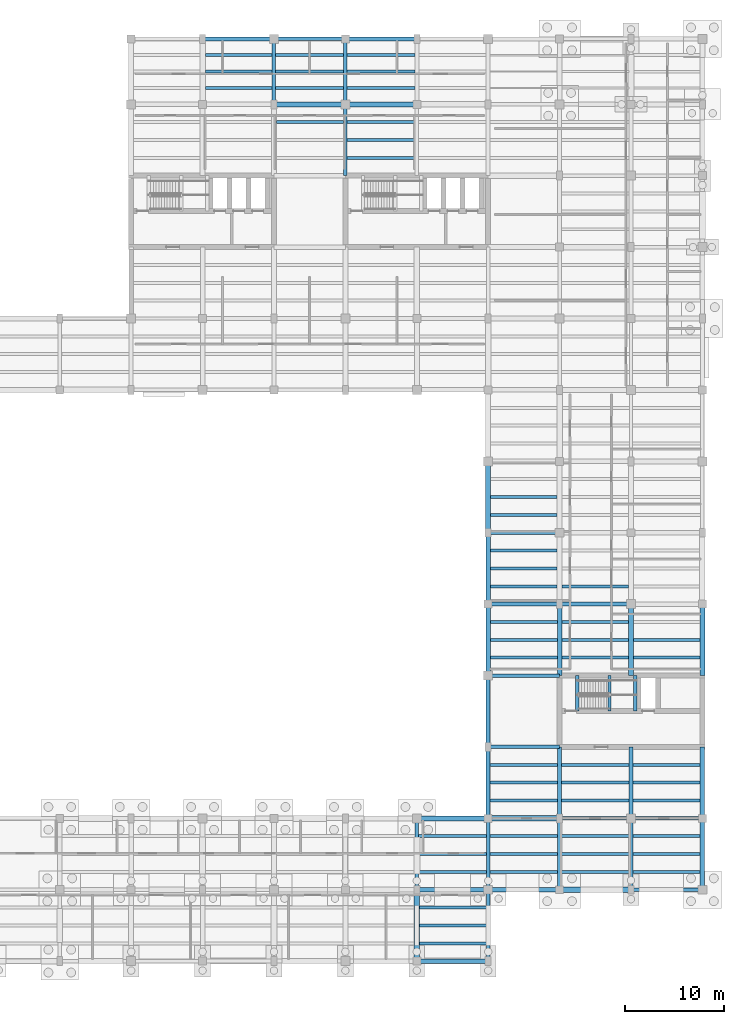
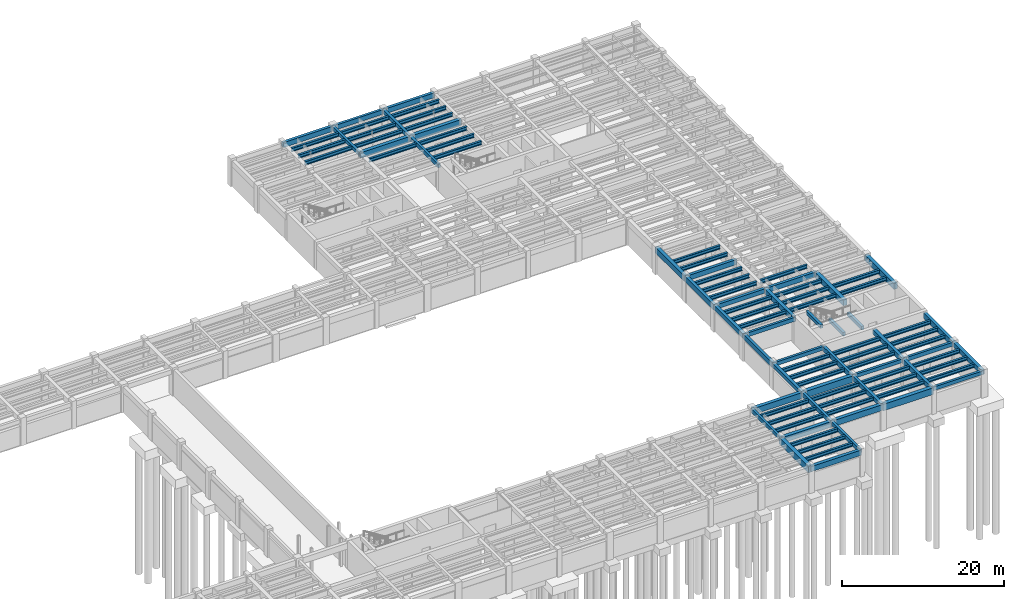
# One storey, part 12 of 33: 94 beams.
"""IFC4 building model written with IfcOpenShell, lengths in metres."""

import ifcopenshell
import ifcopenshell.guid

model = None  # the IFC model being written
_history = None  # IfcOwnerHistory: only IFC2X3 demands one
_inside = {}  # id of a spatial element -> (the spatial element, [elements in it])
_under = {}  # id of a project, library or spatial element -> (it, [spatial elements below it])
_declared = {}  # id of a project -> (the project, [libraries it declares])
_typed = {}  # id of a type object -> (the type object, [elements of that type])
_made_of = {}  # id of a material, layer set ... -> (it, [elements and type objects made of it])


def new_model(schema):
    """Start an empty IFC model of exactly this schema.

    Asked for "IFC4X3", IfcOpenShell would pick the latest addendum, in which some entities
    have other attributes; the version numbers below select the first issue.
    IFC2X3 requires an IfcOwnerHistory on every rooted entity: one is made here for all.
    """
    global model, _history
    if schema == "IFC4X3":
        model = ifcopenshell.file(schema_version=(4, 3, 0, 0))
    else:
        model = ifcopenshell.file(schema=schema)
    _inside.clear()
    _under.clear()
    _declared.clear()
    _typed.clear()
    _made_of.clear()
    _history = None
    if model.schema == "IFC2X3":
        org = make("IfcOrganization", Name="unknown")
        user = make(
            "IfcPersonAndOrganization",
            ThePerson=make("IfcPerson", FamilyName="unknown"),
            TheOrganization=org,
        )
        app = make(
            "IfcApplication",
            ApplicationDeveloper=org,
            Version="unknown",
            ApplicationFullName="unknown",
            ApplicationIdentifier="unknown",
        )
        _history = make(
            "IfcOwnerHistory",
            OwningUser=user,
            OwningApplication=app,
            ChangeAction="ADDED",
            CreationDate=0,
        )
    return model


def make(cls, **values):
    """One entity of the class cls with the attributes given. An attribute that is None is left unset."""
    return model.create_entity(
        cls, **{name: value for name, value in values.items() if value is not None}
    )


def rooted(cls, **values):
    """An entity with a GlobalId (a new one), such as an element, a storey or a relation."""
    return make(cls, GlobalId=ifcopenshell.guid.new(), OwnerHistory=_history, **values)


def si_unit(unit_type, name, prefix=None):
    """IfcSIUnit, for example si_unit("LENGTHUNIT", "METRE", prefix="MILLI")."""
    return make("IfcSIUnit", UnitType=unit_type, Prefix=prefix, Name=name)


def assignment(units):
    """IfcUnitAssignment: the units of a project."""
    return None if units is None else make("IfcUnitAssignment", Units=units)


def point(xyz):
    """IfcCartesianPoint."""
    return None if xyz is None else make("IfcCartesianPoint", Coordinates=xyz)


def direction(xyz):
    """IfcDirection."""
    return None if xyz is None else make("IfcDirection", DirectionRatios=xyz)


def frame(location, z_axis=None, x_axis=None):
    """IfcAxis2Placement3D, a coordinate frame: its origin and axes. An axis left out is left unset."""
    return make(
        "IfcAxis2Placement3D",
        Location=point(location),
        Axis=direction(z_axis),
        RefDirection=direction(x_axis),
    )


def frame_2d(location, x_axis=None):
    """IfcAxis2Placement2D, a coordinate frame in the plane: its origin and x axis."""
    return make(
        "IfcAxis2Placement2D", Location=point(location), RefDirection=direction(x_axis)
    )


def origin():
    """The frame at (0, 0, 0) with its axes left unset."""
    return frame((0.0, 0.0, 0.0))


def origin_2d():
    """The frame at (0, 0) in the plane with its x axis left unset."""
    return frame_2d((0.0, 0.0))


def place(relative_to, where):
    """IfcLocalPlacement: puts the frame where relative to a parent placement (None: the world)."""
    return make(
        "IfcLocalPlacement", PlacementRelTo=relative_to, RelativePlacement=where
    )


def context(
    kind, dimensions, precision=None, world=None, true_north=None, identifier=None
):
    """IfcGeometricRepresentationContext, for example the 3D "Model" context."""
    return make(
        "IfcGeometricRepresentationContext",
        ContextIdentifier=identifier,
        ContextType=kind,
        CoordinateSpaceDimension=dimensions,
        Precision=precision,
        WorldCoordinateSystem=world,
        TrueNorth=true_north,
    )


def subcontext(parent, identifier, kind, view, scale=None):
    """IfcGeometricRepresentationSubContext, for example "Body" below "Model"."""
    return make(
        "IfcGeometricRepresentationSubContext",
        ContextIdentifier=identifier,
        ContextType=kind,
        ParentContext=parent,
        TargetScale=scale,
        TargetView=view,
    )


def project(units=None, contexts=None):
    """IfcProject with its units and contexts."""
    return rooted(
        "IfcProject",
        Name="project",
        RepresentationContexts=contexts,
        UnitsInContext=assignment(units),
    )


def spatial(cls, under=None, at=None, **own):
    """A site, building, storey or space (cls), placed at a placement, below another one or the project."""
    s = rooted(cls, ObjectPlacement=at, **own)
    if under is not None:
        _under.setdefault(under.id(), (under, []))[1].append(s)
    return s


def profile(cls, at=None, kind="AREA", **sizes):
    """A parametric profile (cls). Its sizes go by their IFC names, for example OverallWidth=200.0."""
    return make(cls, ProfileType=kind, Position=at, **sizes)


def rectangle(**sizes):
    """IfcRectangleProfileDef."""
    return profile("IfcRectangleProfileDef", **sizes)


def i_section(**sizes):
    """IfcIShapeProfileDef."""
    return profile("IfcIShapeProfileDef", **sizes)


def extrude(swept, where, along, depth):
    """IfcExtrudedAreaSolid: the profile swept, set in the frame where, extruded along a direction by depth."""
    return make(
        "IfcExtrudedAreaSolid",
        SweptArea=swept,
        Position=where,
        ExtrudedDirection=direction(along),
        Depth=depth,
    )


def shape(context_of_items, identifier, shape_type, items):
    """IfcShapeRepresentation: the items that make up one representation, for example the "Body"."""
    return make(
        "IfcShapeRepresentation",
        ContextOfItems=context_of_items,
        RepresentationIdentifier=identifier,
        RepresentationType=shape_type,
        Items=items,
    )


def material(Name=None, Category=None):
    """IfcMaterial."""
    return make("IfcMaterial", Name=Name, Category=Category)


def material_profile(
    of_material, cross_section, Name=None, Category=None, Priority=None
):
    """IfcMaterialProfile: a cross section and its material."""
    return make(
        "IfcMaterialProfile",
        Name=Name,
        Material=of_material,
        Profile=cross_section,
        Priority=Priority,
        Category=Category,
    )


def profile_set(profiles, Name=None, composite=None):
    """IfcMaterialProfileSet."""
    return make(
        "IfcMaterialProfileSet",
        Name=Name,
        MaterialProfiles=profiles,
        CompositeProfile=composite,
    )


def made_of(thing, what):
    """Note that an element or type object is made of a material, layer set ...; save() writes the relation."""
    if what is not None:
        _made_of.setdefault(what.id(), (what, []))[1].append(thing)
    return thing


def type_object(cls, material=None, **own):
    """A type object (cls), such as IfcWallType, which elements share."""
    return made_of(rooted(cls, **own), material)


def element(
    cls,
    number,
    at=None,
    inside=None,
    cuts=None,
    type_object=None,
    material=None,
    context=None,
    identifier="Body",
    shape_type=None,
    held_by="IfcProductDefinitionShape",
    body=None,
    shapes=None,
    **own,
):
    """One element of the class cls, such as IfcWall. Its Tag is "e" and its number.

    at: its placement. inside: the storey or other place that contains it. cuts: it is an
    opening in that element (IfcRelVoidsElement). A single representation is given by context,
    identifier, shape_type and body (its items); several are given by shapes. held_by: the class
    of the entity that holds the representations. save() writes the other relations.
    """
    e = rooted(cls, Tag="e%d" % number, ObjectPlacement=at, **own)
    if body is not None:
        shapes = [shape(context, identifier, shape_type, body)]
    if shapes is not None:
        e.Representation = make(held_by, Representations=shapes)
    if inside is not None:
        _inside.setdefault(inside.id(), (inside, []))[1].append(e)
    if cuts is not None:
        rooted(
            "IfcRelVoidsElement", RelatingBuildingElement=cuts, RelatedOpeningElement=e
        )
    if type_object is not None:
        _typed.setdefault(type_object.id(), (type_object, []))[1].append(e)
    return made_of(e, material)


def aggregate(whole, parts):
    """IfcRelAggregates: a whole, such as a stair, and the parts it consists of."""
    return rooted("IfcRelAggregates", RelatingObject=whole, RelatedObjects=parts)


def save(model, path):
    """Write the relations noted so far, then the file.

    IfcRelAggregates (storeys below a building ...), IfcRelContainedInSpatialStructure (elements
    in a storey), IfcRelDefinesByType, IfcRelAssociatesMaterial and IfcRelDeclares: one each for
    every whole, place, type object, material and project.
    """
    for whole, parts in _under.values():
        aggregate(whole, parts)
    for where, things in _inside.values():
        rooted(
            "IfcRelContainedInSpatialStructure",
            RelatedElements=things,
            RelatingStructure=where,
        )
    for kind, things in _typed.values():
        rooted("IfcRelDefinesByType", RelatedObjects=things, RelatingType=kind)
    for what, things in _made_of.values():
        rooted("IfcRelAssociatesMaterial", RelatedObjects=things, RelatingMaterial=what)
    for by, libraries in _declared.values():
        rooted("IfcRelDeclares", RelatingContext=by, RelatedDefinitions=libraries)
    model.write(path)


model = new_model("IFC4")

# Units and contexts
model_context = context("Model", 3, precision=1e-05, world=origin(), true_north=direction((0.0, 1.0)))
body_context = subcontext(model_context, "Body", "Model", "MODEL_VIEW")
ifc_project = project(units=[si_unit("LENGTHUNIT", "METRE"), si_unit("AREAUNIT", "SQUARE_METRE"), si_unit("VOLUMEUNIT", "CUBIC_METRE"), si_unit("PLANEANGLEUNIT", "RADIAN"), si_unit("MASSUNIT", "GRAM", prefix="KILO")], contexts=[model_context])

# Site, building, storey
site_placement = place(None, origin())
site = spatial("IfcSite", under=ifc_project, at=site_placement, CompositionType="ELEMENT")
building_placement = place(site_placement, origin())
building = spatial("IfcBuilding", under=site, at=building_placement, Name="Mithqara Police Headquarters", CompositionType="ELEMENT")
storey_placement = place(building_placement, frame((0.0, 0.0, -4.199951171875)))
storey = spatial("IfcBuildingStorey", under=building, at=storey_placement, Name="B1", CompositionType="ELEMENT", Elevation=-4.199951171875)

# Beams
ifc_material_1 = material(Name="Steel S355JR", Category="steel")
ifc_material_profile_1 = material_profile(ifc_material_1, i_section(OverallWidth=0.300048828125, OverallDepth=0.550048828125, WebThickness=0.014892578125, FlangeThickness=0.029052734375, FilletRadius=0.027099609375, at=origin_2d()), Name="HEB 550")
ifc_profile_set_1 = profile_set([ifc_material_profile_1], Name="Steel S355JR")
beam_type_1 = type_object("IfcBeamType", Name="BEAM HEB550", PredefinedType="BEAM", material=ifc_profile_set_1)
for number, where, z_axis, x_axis, name in (
    (1, (116.074951171875, 109.050048828125, 3.60498046875), (1.0, 0.0, 0.0), (0.0, 1.0, 0.0), "B1 Composite Steel Joist 17-18/R.1"),
    (2, (116.074951171875, 110.699951171875, 3.60498046875), (1.0, 0.0, 0.0), (0.0, 1.0, 0.0), "B1 Composite Steel Joist 17-18/R.2"),
    (3, (116.074951171875, 112.35009765625, 3.60498046875), (1.0, 0.0, 0.0), (0.0, 1.0, 0.0), "B1 Composite Steel Joist 17-18/R.3"),
    (4, (123.27490234375, 105.60009765625, 3.60498046875), (1.0, 0.0, 0.0), (0.0, 1.0, 0.0), "B1 Composite Steel Joist 18-19/Q.3"),
):
    element("IfcBeam", number, at=place(storey_placement, frame(where, z_axis=z_axis, x_axis=x_axis)), inside=storey, type_object=beam_type_1, Name=name, PredefinedType="BEAM", context=body_context, shape_type="SweptSolid", body=[
        extrude(i_section(OverallWidth=0.300048828125, OverallDepth=0.550048828125, WebThickness=0.014892578125, FlangeThickness=0.029052734375, FilletRadius=0.027099609375, at=origin_2d()), origin(), (0.0, 0.0, 1.0), 6.75),
    ])
for number, where, z_axis, x_axis, name in (
    (5, (123.175048828125, 109.050048828125, 3.60498046875), (1.0, 0.0, 0.0), (0.0, 1.0, 0.0), "B1 Composite Steel Joist 18-19/R.1"),
    (6, (123.175048828125, 110.699951171875, 3.60498046875), (1.0, 0.0, 0.0), (0.0, 1.0, 0.0), "B1 Composite Steel Joist 18-19/R.2"),
    (7, (123.175048828125, 112.35009765625, 3.60498046875), (1.0, 0.0, 0.0), (0.0, 1.0, 0.0), "B1 Composite Steel Joist 18-19/R.3"),
):
    element("IfcBeam", number, at=place(storey_placement, frame(where, z_axis=z_axis, x_axis=x_axis)), inside=storey, type_object=beam_type_1, Name=name, PredefinedType="BEAM", context=body_context, shape_type="SweptSolid", body=[
        extrude(i_section(OverallWidth=0.300048828125, OverallDepth=0.550048828125, WebThickness=0.014892578125, FlangeThickness=0.029052734375, FilletRadius=0.027099609375, at=origin_2d()), origin(), (0.0, 0.0, 1.0), 6.849853515625),
    ])
for number, where, z_axis, x_axis, name in (
    (8, (130.375, 102.0, 3.60498046875), (1.0, 0.0, 0.0), (0.0, 1.0, 0.0), "B1 Composite Steel Joist 19-20/Q.1"),
    (9, (130.375, 103.800048828125, 3.60498046875), (1.0, 0.0, 0.0), (0.0, 1.0, 0.0), "B1 Composite Steel Joist 19-20/Q.2"),
    (10, (130.375, 105.60009765625, 3.60498046875), (1.0, 0.0, 0.0), (0.0, 1.0, 0.0), "B1 Composite Steel Joist 19-20/Q.3"),
):
    element("IfcBeam", number, at=place(storey_placement, frame(where, z_axis=z_axis, x_axis=x_axis)), inside=storey, type_object=beam_type_1, Name=name, PredefinedType="BEAM", context=body_context, shape_type="SweptSolid", body=[
        extrude(i_section(OverallWidth=0.300048828125, OverallDepth=0.550048828125, WebThickness=0.014892578125, FlangeThickness=0.029052734375, FilletRadius=0.027099609375, at=origin_2d()), origin(), (0.0, 0.0, 1.0), 6.85009765625),
    ])
for number, where, z_axis, x_axis, name in (
    (11, (130.375, 109.050048828125, 3.60498046875), (1.0, 0.0, 0.0), (0.0, 1.0, 0.0), "B1 Composite Steel Joist 19-20/R.1"),
    (12, (130.375, 110.699951171875, 3.60498046875), (1.0, 0.0, 0.0), (0.0, 1.0, 0.0), "B1 Composite Steel Joist 19-20/R.2"),
    (13, (130.375, 112.35009765625, 3.60498046875), (1.0, 0.0, 0.0), (0.0, 1.0, 0.0), "B1 Composite Steel Joist 19-20/R.3"),
):
    element("IfcBeam", number, at=place(storey_placement, frame(where, z_axis=z_axis, x_axis=x_axis)), inside=storey, type_object=beam_type_1, Name=name, PredefinedType="BEAM", context=body_context, shape_type="SweptSolid", body=[
        extrude(i_section(OverallWidth=0.300048828125, OverallDepth=0.550048828125, WebThickness=0.014892578125, FlangeThickness=0.029052734375, FilletRadius=0.027099609375, at=origin_2d()), origin(), (0.0, 0.0, 1.0), 6.824951171875),
    ])
for number, where, z_axis, x_axis, name in (
    (14, (137.675048828125, 22.800048828125, 3.60498046875), (1.0, 0.0, 0.0), (0.0, 1.0, 0.0), "B1 Composite Steel Joist 20-21/D.1"),
    (15, (137.675048828125, 24.60009765625, 3.60498046875), (1.0, 0.0, 0.0), (0.0, 1.0, 0.0), "B1 Composite Steel Joist 20-21/D.2"),
    (16, (137.675048828125, 26.39990234375, 3.60498046875), (1.0, 0.0, 0.0), (0.0, 1.0, 0.0), "B1 Composite Steel Joist 20-21/D.3"),
):
    element("IfcBeam", number, at=place(storey_placement, frame(where, z_axis=z_axis, x_axis=x_axis)), inside=storey, type_object=beam_type_1, Name=name, PredefinedType="BEAM", context=body_context, shape_type="SweptSolid", body=[
        extrude(i_section(OverallWidth=0.300048828125, OverallDepth=0.550048828125, WebThickness=0.014892578125, FlangeThickness=0.029052734375, FilletRadius=0.027099609375, at=origin_2d()), origin(), (0.0, 0.0, 1.0), 6.75),
    ])
for number, where, z_axis, x_axis, name in (
    (17, (137.574951171875, 30.0, 3.60498046875), (1.0, 0.0, 0.0), (0.0, 1.0, 0.0), "B1 Composite Steel Joist 20-21/E.1"),
    (18, (137.574951171875, 31.800048828125, 3.60498046875), (1.0, 0.0, 0.0), (0.0, 1.0, 0.0), "B1 Composite Steel Joist 20-21/E.2"),
    (19, (137.574951171875, 33.60009765625, 3.60498046875), (1.0, 0.0, 0.0), (0.0, 1.0, 0.0), "B1 Composite Steel Joist 20-21/E.3"),
):
    element("IfcBeam", number, at=place(storey_placement, frame(where, z_axis=z_axis, x_axis=x_axis)), inside=storey, type_object=beam_type_1, Name=name, PredefinedType="BEAM", context=body_context, shape_type="SweptSolid", body=[
        extrude(i_section(OverallWidth=0.300048828125, OverallDepth=0.550048828125, WebThickness=0.014892578125, FlangeThickness=0.029052734375, FilletRadius=0.027099609375, at=origin_2d()), origin(), (0.0, 0.0, 1.0), 6.85009765625),
    ])
for number, where, z_axis, x_axis, name in (
    (20, (144.77490234375, 30.0, 3.60498046875), (1.0, 0.0, 0.0), (0.0, 1.0, 0.0), "B1 Composite Steel Joist 21-22/E.1"),
    (21, (144.77490234375, 31.800048828125, 3.60498046875), (1.0, 0.0, 0.0), (0.0, 1.0, 0.0), "B1 Composite Steel Joist 21-22/E.2"),
    (22, (144.77490234375, 33.60009765625, 3.60498046875), (1.0, 0.0, 0.0), (0.0, 1.0, 0.0), "B1 Composite Steel Joist 21-22/E.3"),
):
    element("IfcBeam", number, at=place(storey_placement, frame(where, z_axis=z_axis, x_axis=x_axis)), inside=storey, type_object=beam_type_1, Name=name, PredefinedType="BEAM", context=body_context, shape_type="SweptSolid", body=[
        extrude(i_section(OverallWidth=0.300048828125, OverallDepth=0.550048828125, WebThickness=0.014892578125, FlangeThickness=0.029052734375, FilletRadius=0.027099609375, at=origin_2d()), origin(), (0.0, 0.0, 1.0), 6.8251953125),
    ])
for number, where, z_axis, x_axis, name in (
    (23, (144.800048828125, 37.199951171875, 3.60498046875), (1.0, 0.0, 0.0), (0.0, 1.0, 0.0), "B1 Composite Steel Joist 21-22/F.1"),
    (24, (144.800048828125, 39.0, 3.60498046875), (1.0, 0.0, 0.0), (0.0, 1.0, 0.0), "B1 Composite Steel Joist 21-22/F.2"),
    (25, (144.800048828125, 40.800048828125, 3.60498046875), (1.0, 0.0, 0.0), (0.0, 1.0, 0.0), "B1 Composite Steel Joist 21-22/F.3"),
):
    element("IfcBeam", number, at=place(storey_placement, frame(where, z_axis=z_axis, x_axis=x_axis)), inside=storey, type_object=beam_type_1, Name=name, PredefinedType="BEAM", context=body_context, shape_type="SweptSolid", body=[
        extrude(i_section(OverallWidth=0.300048828125, OverallDepth=0.550048828125, WebThickness=0.014892578125, FlangeThickness=0.029052734375, FilletRadius=0.027099609375, at=origin_2d()), origin(), (0.0, 0.0, 1.0), 6.800048828125),
    ])
for number, where, z_axis, x_axis, name in (
    (26, (144.824951171875, 51.60009765625, 3.60498046875), (1.0, 0.0, 0.0), (0.0, 1.0, 0.0), "B1 Composite Steel Joist 21-22/H.1"),
    (27, (144.824951171875, 53.39990234375, 3.60498046875), (1.0, 0.0, 0.0), (0.0, 1.0, 0.0), "B1 Composite Steel Joist 21-22/H.2"),
    (28, (144.824951171875, 55.199951171875, 3.60498046875), (1.0, 0.0, 0.0), (0.0, 1.0, 0.0), "B1 Composite Steel Joist 21-22/H.3"),
):
    element("IfcBeam", number, at=place(storey_placement, frame(where, z_axis=z_axis, x_axis=x_axis)), inside=storey, type_object=beam_type_1, Name=name, PredefinedType="BEAM", context=body_context, shape_type="SweptSolid", body=[
        extrude(i_section(OverallWidth=0.300048828125, OverallDepth=0.550048828125, WebThickness=0.014892578125, FlangeThickness=0.029052734375, FilletRadius=0.027099609375, at=origin_2d()), origin(), (0.0, 0.0, 1.0), 6.75),
    ])
for number, where, z_axis, x_axis, name in (
    (29, (144.824951171875, 58.800048828125, 3.60498046875), (1.0, 0.0, 0.0), (0.0, 1.0, 0.0), "B1 Composite Steel Joist 21-22/J.1"),
    (30, (144.824951171875, 60.60009765625, 3.60498046875), (1.0, 0.0, 0.0), (0.0, 1.0, 0.0), "B1 Composite Steel Joist 21-22/J.2"),
    (31, (144.824951171875, 62.39990234375, 3.60498046875), (1.0, 0.0, 0.0), (0.0, 1.0, 0.0), "B1 Composite Steel Joist 21-22/J.3"),
):
    element("IfcBeam", number, at=place(storey_placement, frame(where, z_axis=z_axis, x_axis=x_axis)), inside=storey, type_object=beam_type_1, Name=name, PredefinedType="BEAM", context=body_context, shape_type="SweptSolid", body=[
        extrude(i_section(OverallWidth=0.300048828125, OverallDepth=0.550048828125, WebThickness=0.014892578125, FlangeThickness=0.029052734375, FilletRadius=0.027099609375, at=origin_2d()), origin(), (0.0, 0.0, 1.0), 6.72509765625),
    ])
for number, where, z_axis, x_axis, name in (
    (32, (144.85009765625, 66.0, 3.60498046875), (1.0, 0.0, 0.0), (0.0, 1.0, 0.0), "B1 Composite Steel Joist 21-22/K.1"),
    (33, (144.85009765625, 67.800048828125, 3.60498046875), (1.0, 0.0, 0.0), (0.0, 1.0, 0.0), "B1 Composite Steel Joist 21-22/K.2"),
):
    element("IfcBeam", number, at=place(storey_placement, frame(where, z_axis=z_axis, x_axis=x_axis)), inside=storey, type_object=beam_type_1, Name=name, PredefinedType="BEAM", context=body_context, shape_type="SweptSolid", body=[
        extrude(i_section(OverallWidth=0.300048828125, OverallDepth=0.550048828125, WebThickness=0.014892578125, FlangeThickness=0.029052734375, FilletRadius=0.027099609375, at=origin_2d()), origin(), (0.0, 0.0, 1.0), 6.699951171875),
    ])
for number, where, z_axis, x_axis, name in (
    (34, (152.0, 30.0, 3.60498046875), (1.0, 0.0, 0.0), (0.0, 1.0, 0.0), "B1 Composite Steel Joist 22-23/E.1"),
    (35, (152.0, 31.800048828125, 3.60498046875), (1.0, 0.0, 0.0), (0.0, 1.0, 0.0), "B1 Composite Steel Joist 22-23/E.2"),
    (36, (152.0, 33.60009765625, 3.60498046875), (1.0, 0.0, 0.0), (0.0, 1.0, 0.0), "B1 Composite Steel Joist 22-23/E.3"),
):
    element("IfcBeam", number, at=place(storey_placement, frame(where, z_axis=z_axis, x_axis=x_axis)), inside=storey, type_object=beam_type_1, Name=name, PredefinedType="BEAM", context=body_context, shape_type="SweptSolid", body=[
        extrude(i_section(OverallWidth=0.300048828125, OverallDepth=0.550048828125, WebThickness=0.014892578125, FlangeThickness=0.029052734375, FilletRadius=0.027099609375, at=origin_2d()), origin(), (0.0, 0.0, 1.0), 6.800048828125),
    ])
for number, where, z_axis, x_axis, name in (
    (37, (152.0, 37.199951171875, 3.60498046875), (1.0, 0.0, 0.0), (0.0, 1.0, 0.0), "B1 Composite Steel Joist 22-23/F.1"),
    (38, (152.0, 39.0, 3.60498046875), (1.0, 0.0, 0.0), (0.0, 1.0, 0.0), "B1 Composite Steel Joist 22-23/F.2"),
    (39, (152.0, 40.800048828125, 3.60498046875), (1.0, 0.0, 0.0), (0.0, 1.0, 0.0), "B1 Composite Steel Joist 22-23/F.3"),
):
    element("IfcBeam", number, at=place(storey_placement, frame(where, z_axis=z_axis, x_axis=x_axis)), inside=storey, type_object=beam_type_1, Name=name, PredefinedType="BEAM", context=body_context, shape_type="SweptSolid", body=[
        extrude(i_section(OverallWidth=0.300048828125, OverallDepth=0.550048828125, WebThickness=0.014892578125, FlangeThickness=0.029052734375, FilletRadius=0.027099609375, at=origin_2d()), origin(), (0.0, 0.0, 1.0), 6.77490234375),
    ])
for number, where, z_axis, x_axis, name in (
    (40, (152.02490234375, 51.60009765625, 3.60498046875), (1.0, 0.0, 0.0), (0.0, 1.0, 0.0), "B1 Composite Steel Joist 22-23/H.1"),
    (41, (152.02490234375, 53.39990234375, 3.60498046875), (1.0, 0.0, 0.0), (0.0, 1.0, 0.0), "B1 Composite Steel Joist 22-23/H.2"),
    (42, (152.02490234375, 55.199951171875, 3.60498046875), (1.0, 0.0, 0.0), (0.0, 1.0, 0.0), "B1 Composite Steel Joist 22-23/H.3"),
):
    element("IfcBeam", number, at=place(storey_placement, frame(where, z_axis=z_axis, x_axis=x_axis)), inside=storey, type_object=beam_type_1, Name=name, PredefinedType="BEAM", context=body_context, shape_type="SweptSolid", body=[
        extrude(i_section(OverallWidth=0.300048828125, OverallDepth=0.550048828125, WebThickness=0.014892578125, FlangeThickness=0.029052734375, FilletRadius=0.027099609375, at=origin_2d()), origin(), (0.0, 0.0, 1.0), 6.72509765625),
    ])
beam_1_placement = place(storey_placement, frame((152.050048828125, 58.800048828125, 3.60498046875), z_axis=(1.0, 0.0, 0.0), x_axis=(0.0, 1.0, 0.0)))
element("IfcBeam", 43, at=beam_1_placement, inside=storey, type_object=beam_type_1, Name="B1 Composite Steel Joist 22-23/J.1", PredefinedType="BEAM", context=body_context, shape_type="SweptSolid", body=[
    extrude(i_section(OverallWidth=0.300048828125, OverallDepth=0.550048828125, WebThickness=0.014892578125, FlangeThickness=0.029052734375, FilletRadius=0.027099609375, at=origin_2d()), origin(), (0.0, 0.0, 1.0), 6.699951171875),
])
for number, where, z_axis, x_axis, name in (
    (44, (159.199951171875, 30.0, 3.60498046875), (1.0, 0.0, 0.0), (0.0, 1.0, 0.0), "B1 Composite Steel Joist 23-24/E.1"),
    (45, (159.199951171875, 31.800048828125, 3.60498046875), (1.0, 0.0, 0.0), (0.0, 1.0, 0.0), "B1 Composite Steel Joist 23-24/E.2"),
    (46, (159.199951171875, 33.60009765625, 3.60498046875), (1.0, 0.0, 0.0), (0.0, 1.0, 0.0), "B1 Composite Steel Joist 23-24/E.3"),
):
    element("IfcBeam", number, at=place(storey_placement, frame(where, z_axis=z_axis, x_axis=x_axis)), inside=storey, type_object=beam_type_1, Name=name, PredefinedType="BEAM", context=body_context, shape_type="SweptSolid", body=[
        extrude(i_section(OverallWidth=0.300048828125, OverallDepth=0.550048828125, WebThickness=0.014892578125, FlangeThickness=0.029052734375, FilletRadius=0.027099609375, at=origin_2d()), origin(), (0.0, 0.0, 1.0), 6.775146484375),
    ])
for number, where, z_axis, x_axis, name in (
    (47, (159.22509765625, 37.199951171875, 3.60498046875), (1.0, 0.0, 0.0), (0.0, 1.0, 0.0), "B1 Composite Steel Joist 23-24/F.1"),
    (48, (159.22509765625, 39.0, 3.60498046875), (1.0, 0.0, 0.0), (0.0, 1.0, 0.0), "B1 Composite Steel Joist 23-24/F.2"),
    (49, (159.22509765625, 40.800048828125, 3.60498046875), (1.0, 0.0, 0.0), (0.0, 1.0, 0.0), "B1 Composite Steel Joist 23-24/F.3"),
):
    element("IfcBeam", number, at=place(storey_placement, frame(where, z_axis=z_axis, x_axis=x_axis)), inside=storey, type_object=beam_type_1, Name=name, PredefinedType="BEAM", context=body_context, shape_type="SweptSolid", body=[
        extrude(i_section(OverallWidth=0.300048828125, OverallDepth=0.550048828125, WebThickness=0.014892578125, FlangeThickness=0.029052734375, FilletRadius=0.027099609375, at=origin_2d()), origin(), (0.0, 0.0, 1.0), 6.75),
    ])
for number, where, z_axis, x_axis, name in (
    (50, (159.25, 51.60009765625, 3.60498046875), (1.0, 0.0, 0.0), (0.0, 1.0, 0.0), "B1 Composite Steel Joist 23-24/H.1"),
    (51, (159.25, 53.39990234375, 3.60498046875), (1.0, 0.0, 0.0), (0.0, 1.0, 0.0), "B1 Composite Steel Joist 23-24/H.2"),
):
    element("IfcBeam", number, at=place(storey_placement, frame(where, z_axis=z_axis, x_axis=x_axis)), inside=storey, type_object=beam_type_1, Name=name, PredefinedType="BEAM", context=body_context, shape_type="SweptSolid", body=[
        extrude(i_section(OverallWidth=0.300048828125, OverallDepth=0.550048828125, WebThickness=0.014892578125, FlangeThickness=0.029052734375, FilletRadius=0.027099609375, at=origin_2d()), origin(), (0.0, 0.0, 1.0), 6.699951171875),
    ])
ifc_material_2 = material(Name="Concrete C40/50", Category="concrete")
ifc_material_profile_2 = material_profile(ifc_material_2, rectangle(XDim=0.35009765625, YDim=0.550048828125, at=origin_2d()), Name="RC 350x550")
ifc_profile_set_2 = profile_set([ifc_material_profile_2], Name="Concrete C40/50")
beam_type_2 = type_object("IfcBeamType", Name="BEAM RC350X550", PredefinedType="BEAM", material=ifc_profile_set_2)
beam_2_placement = place(storey_placement, frame((123.0, 107.39990234375, 3.60498046875), z_axis=(0.0, 1.0, 0.0), x_axis=(-1.0, 0.0, 0.0)))
element("IfcBeam", 52, at=beam_2_placement, inside=storey, type_object=beam_type_2, Name="B1 Girder 18/R-S", PredefinedType="BEAM", context=body_context, shape_type="SweptSolid", body=[
    extrude(rectangle(XDim=0.35009765625, YDim=0.550048828125, at=origin_2d()), origin(), (0.0, 0.0, 1.0), 6.60009765625),
])
for number, where, z_axis, x_axis, name in (
    (53, (130.199951171875, 100.199951171875, 3.60498046875), (0.0, 1.0, 0.0), (-1.0, 0.0, 0.0), "B1 Girder 19/Q-R"),
    (54, (137.39990234375, 28.199951171875, 3.60498046875), (0.0, 1.0, 0.0), (-1.0, 0.0, 0.0), "B1 Girder 20/E-F"),
    (55, (144.60009765625, 21.0, 3.60498046875), (0.0, 1.0, 0.0), (-1.0, 0.0, 0.0), "B1 Girder 21/D-E"),
    (56, (144.60009765625, 42.60009765625, 3.60498046875), (1.0, 0.0, 0.0), (0.0, 1.0, 0.0), "B1 Girder 21-22/G"),
    (57, (151.800048828125, 35.39990234375, 3.60498046875), (1.0, 0.0, 0.0), (0.0, 1.0, 0.0), "B1 Girder 22-23/F"),
    (58, (159.0, 28.199951171875, 3.60498046875), (1.0, 0.0, 0.0), (0.0, 1.0, 0.0), "B1 Girder 23-24/E"),
):
    element("IfcBeam", number, at=place(storey_placement, frame(where, z_axis=z_axis, x_axis=x_axis)), inside=storey, type_object=beam_type_2, Name=name, PredefinedType="BEAM", context=body_context, shape_type="SweptSolid", body=[
        extrude(rectangle(XDim=0.35009765625, YDim=0.550048828125, at=origin_2d()), origin(), (0.0, 0.0, 1.0), 7.199951171875),
    ])
for number, where, z_axis, x_axis, name in (
    (59, (156.830078125, 46.219970703125, 1.635009765625), (0.0, 1.0, 0.0), (-1.0, 0.0, 0.0), "B1 ST-04 Half-Landing Bearer LF"),
    (60, (159.449951171875, 46.219970703125, 1.635009765625), (0.0, 1.0, 0.0), (-1.0, 0.0, 0.0), "B1 ST-04 Half-Landing Bearer LB"),
    (61, (153.576904296875, 46.219970703125, 3.925048828125), (0.0, 1.0, 0.0), (-1.0, 0.0, 0.0), "B1 ST-04 Stairwell Trimmer Beam"),
):
    element("IfcBeam", number, at=place(storey_placement, frame(where, z_axis=z_axis, x_axis=x_axis)), inside=storey, type_object=beam_type_2, Name=name, PredefinedType="BEAM", context=body_context, shape_type="SweptSolid", body=[
        extrude(rectangle(XDim=0.35009765625, YDim=0.550048828125, at=origin_2d()), origin(), (0.0, 0.0, 1.0), 3.580078125),
    ])
ifc_material_profile_3 = material_profile(ifc_material_2, rectangle(XDim=0.35009765625, YDim=0.60009765625, at=origin_2d()), Name="RC 350x600")
ifc_profile_set_3 = profile_set([ifc_material_profile_3], Name="Concrete C40/50")
beam_type_3 = type_object("IfcBeamType", Name="BEAM RC350X600", PredefinedType="BEAM", material=ifc_profile_set_3)
beam_3_placement = place(storey_placement, frame((130.199951171875, 107.39990234375, 3.579833984375), z_axis=(0.0, 1.0, 0.0), x_axis=(-1.0, 0.0, 0.0)))
element("IfcBeam", 62, at=beam_3_placement, inside=storey, type_object=beam_type_3, Name="B1 Girder 19/R-S", PredefinedType="BEAM", context=body_context, shape_type="SweptSolid", body=[
    extrude(rectangle(XDim=0.35009765625, YDim=0.60009765625, at=origin_2d()), origin(), (0.0, 0.0, 1.0), 6.60009765625),
])
for number, where, z_axis, x_axis, name in (
    (63, (144.60009765625, 28.199951171875, 3.579833984375), (0.0, 1.0, 0.0), (-1.0, 0.0, 0.0), "B1 Girder 21/E-F"),
    (64, (144.60009765625, 49.800048828125, 3.579833984375), (1.0, 0.0, 0.0), (0.0, 1.0, 0.0), "B1 Girder 21-22/H"),
    (65, (159.0, 35.39990234375, 3.579833984375), (1.0, 0.0, 0.0), (0.0, 1.0, 0.0), "B1 Girder 23-24/F"),
):
    element("IfcBeam", number, at=place(storey_placement, frame(where, z_axis=z_axis, x_axis=x_axis)), inside=storey, type_object=beam_type_3, Name=name, PredefinedType="BEAM", context=body_context, shape_type="SweptSolid", body=[
        extrude(rectangle(XDim=0.35009765625, YDim=0.60009765625, at=origin_2d()), origin(), (0.0, 0.0, 1.0), 7.199951171875),
    ])
ifc_material_profile_4 = material_profile(ifc_material_2, rectangle(XDim=0.39990234375, YDim=0.64990234375, at=origin_2d()), Name="RC 400x650")
ifc_profile_set_4 = profile_set([ifc_material_profile_4], Name="Concrete C40/50")
beam_type_4 = type_object("IfcBeamType", Name="BEAM RC400X650", PredefinedType="BEAM", material=ifc_profile_set_4)
beam_4_placement = place(storey_placement, frame((144.60009765625, 35.39990234375, 3.554931640625), z_axis=(0.0, 1.0, 0.0), x_axis=(-1.0, 0.0, 0.0)))
element("IfcBeam", 66, at=beam_4_placement, inside=storey, type_object=beam_type_4, Name="B1 Girder 21/F-G", PredefinedType="BEAM", context=body_context, shape_type="SweptSolid", body=[
    extrude(rectangle(XDim=0.39990234375, YDim=0.64990234375, at=origin_2d()), origin(), (0.0, 0.0, 1.0), 7.2001953125),
])
for number, where, z_axis, x_axis, name in (
    (67, (144.60009765625, 57.0, 3.554931640625), (1.0, 0.0, 0.0), (0.0, 1.0, 0.0), "B1 Girder 21-22/J"),
    (68, (151.800048828125, 28.199951171875, 3.554931640625), (0.0, 1.0, 0.0), (-1.0, 0.0, 0.0), "B1 Girder 22/E-F"),
):
    element("IfcBeam", number, at=place(storey_placement, frame(where, z_axis=z_axis, x_axis=x_axis)), inside=storey, type_object=beam_type_4, Name=name, PredefinedType="BEAM", context=body_context, shape_type="SweptSolid", body=[
        extrude(rectangle(XDim=0.39990234375, YDim=0.64990234375, at=origin_2d()), origin(), (0.0, 0.0, 1.0), 7.199951171875),
    ])
ifc_material_profile_5 = material_profile(ifc_material_2, rectangle(XDim=0.39990234375, YDim=0.75, at=origin_2d()), Name="RC 400x750")
ifc_profile_set_5 = profile_set([ifc_material_profile_5], Name="Concrete C40/50")
beam_type_5 = type_object("IfcBeamType", Name="BEAM RC400X750", PredefinedType="BEAM", material=ifc_profile_set_5)
for number, where, z_axis, x_axis, name in (
    (69, (144.60009765625, 42.60009765625, 3.5048828125), (0.0, 1.0, 0.0), (-1.0, 0.0, 0.0), "B1 Girder 21/G-H"),
    (70, (144.60009765625, 64.199951171875, 3.5048828125), (1.0, 0.0, 0.0), (0.0, 1.0, 0.0), "B1 Girder 21-22/K"),
):
    element("IfcBeam", number, at=place(storey_placement, frame(where, z_axis=z_axis, x_axis=x_axis)), inside=storey, type_object=beam_type_5, Name=name, PredefinedType="BEAM", context=body_context, shape_type="SweptSolid", body=[
        extrude(rectangle(XDim=0.39990234375, YDim=0.75, at=origin_2d()), origin(), (0.0, 0.0, 1.0), 7.199951171875),
    ])
beam_5_placement = place(storey_placement, frame((151.800048828125, 35.39990234375, 3.5048828125), z_axis=(0.0, 1.0, 0.0), x_axis=(-1.0, 0.0, 0.0)))
element("IfcBeam", 71, at=beam_5_placement, inside=storey, type_object=beam_type_5, Name="B1 Girder 22/F-G", PredefinedType="BEAM", context=body_context, shape_type="SweptSolid", body=[
    extrude(rectangle(XDim=0.39990234375, YDim=0.75, at=origin_2d()), origin(), (0.0, 0.0, 1.0), 7.2001953125),
])
for number, where, z_axis, x_axis, name in (
    (72, (151.800048828125, 57.0, 3.5048828125), (1.0, 0.0, 0.0), (0.0, 1.0, 0.0), "B1 Girder 22-23/J"),
    (73, (159.0, 28.199951171875, 3.5048828125), (0.0, 1.0, 0.0), (-1.0, 0.0, 0.0), "B1 Girder 23/E-F"),
):
    element("IfcBeam", number, at=place(storey_placement, frame(where, z_axis=z_axis, x_axis=x_axis)), inside=storey, type_object=beam_type_5, Name=name, PredefinedType="BEAM", context=body_context, shape_type="SweptSolid", body=[
        extrude(rectangle(XDim=0.39990234375, YDim=0.75, at=origin_2d()), origin(), (0.0, 0.0, 1.0), 7.199951171875),
    ])
ifc_material_profile_6 = material_profile(ifc_material_2, rectangle(XDim=0.449951171875, YDim=0.699951171875, at=origin_2d()), Name="RC 450x700")
ifc_profile_set_6 = profile_set([ifc_material_profile_6], Name="Concrete C40/50")
beam_type_6 = type_object("IfcBeamType", Name="BEAM RC450X700", PredefinedType="BEAM", material=ifc_profile_set_6)
beam_6_placement = place(storey_placement, frame((144.60009765625, 49.800048828125, 3.530029296875), z_axis=(0.0, 1.0, 0.0), x_axis=(-1.0, 0.0, 0.0)))
element("IfcBeam", 74, at=beam_6_placement, inside=storey, type_object=beam_type_6, Name="B1 Girder 21/H-J", PredefinedType="BEAM", context=body_context, shape_type="SweptSolid", body=[
    extrude(rectangle(XDim=0.449951171875, YDim=0.699951171875, at=origin_2d()), origin(), (0.0, 0.0, 1.0), 7.199951171875),
])
beam_7_placement = place(storey_placement, frame((159.0, 35.39990234375, 3.530029296875), z_axis=(0.0, 1.0, 0.0), x_axis=(-1.0, 0.0, 0.0)))
element("IfcBeam", 75, at=beam_7_placement, inside=storey, type_object=beam_type_6, Name="B1 Girder 23/F-G", PredefinedType="BEAM", context=body_context, shape_type="SweptSolid", body=[
    extrude(rectangle(XDim=0.449951171875, YDim=0.699951171875, at=origin_2d()), origin(), (0.0, 0.0, 1.0), 7.2001953125),
])
beam_8_placement = place(storey_placement, frame((166.199951171875, 28.199951171875, 3.530029296875), z_axis=(0.0, 1.0, 0.0), x_axis=(-1.0, 0.0, 0.0)))
element("IfcBeam", 76, at=beam_8_placement, inside=storey, type_object=beam_type_6, Name="B1 Girder 24/E-F", PredefinedType="BEAM", context=body_context, shape_type="SweptSolid", body=[
    extrude(rectangle(XDim=0.449951171875, YDim=0.699951171875, at=origin_2d()), origin(), (0.0, 0.0, 1.0), 7.199951171875),
])
ifc_material_profile_7 = material_profile(ifc_material_2, rectangle(XDim=0.449951171875, YDim=0.800048828125, at=origin_2d()), Name="RC 450x800")
ifc_profile_set_7 = profile_set([ifc_material_profile_7], Name="Concrete C40/50")
beam_type_7 = type_object("IfcBeamType", Name="BEAM RC450X800", PredefinedType="BEAM", material=ifc_profile_set_7)
beam_9_placement = place(storey_placement, frame((137.39990234375, 21.0, 3.47998046875), z_axis=(1.0, 0.0, 0.0), x_axis=(0.0, 1.0, 0.0)))
element("IfcBeam", 77, at=beam_9_placement, inside=storey, type_object=beam_type_7, Name="B1 Girder 20-21/D", PredefinedType="BEAM", context=body_context, shape_type="SweptSolid", body=[
    extrude(rectangle(XDim=0.449951171875, YDim=0.800048828125, at=origin_2d()), origin(), (0.0, 0.0, 1.0), 7.2001953125),
])
for number, where, z_axis, x_axis, name in (
    (78, (144.60009765625, 57.0, 3.47998046875), (0.0, 1.0, 0.0), (-1.0, 0.0, 0.0), "B1 Girder 21/J-K"),
    (79, (151.800048828125, 49.800048828125, 3.47998046875), (0.0, 1.0, 0.0), (-1.0, 0.0, 0.0), "B1 Girder 22/H-J"),
):
    element("IfcBeam", number, at=place(storey_placement, frame(where, z_axis=z_axis, x_axis=x_axis)), inside=storey, type_object=beam_type_7, Name=name, PredefinedType="BEAM", context=body_context, shape_type="SweptSolid", body=[
        extrude(rectangle(XDim=0.449951171875, YDim=0.800048828125, at=origin_2d()), origin(), (0.0, 0.0, 1.0), 7.199951171875),
    ])
beam_10_placement = place(storey_placement, frame((166.199951171875, 35.39990234375, 3.47998046875), z_axis=(0.0, 1.0, 0.0), x_axis=(-1.0, 0.0, 0.0)))
element("IfcBeam", 80, at=beam_10_placement, inside=storey, type_object=beam_type_7, Name="B1 Girder 24/F-G", PredefinedType="BEAM", context=body_context, shape_type="SweptSolid", body=[
    extrude(rectangle(XDim=0.449951171875, YDim=0.800048828125, at=origin_2d()), origin(), (0.0, 0.0, 1.0), 7.2001953125),
])
ifc_material_profile_8 = material_profile(ifc_material_2, rectangle(XDim=0.5, YDim=0.85009765625, at=origin_2d()), Name="RC 500x850")
ifc_profile_set_8 = profile_set([ifc_material_profile_8], Name="Concrete C40/50")
beam_type_8 = type_object("IfcBeamType", Name="BEAM RC500X850", PredefinedType="BEAM", material=ifc_profile_set_8)
beam_11_placement = place(storey_placement, frame((123.0, 107.39990234375, 3.454833984375), z_axis=(1.0, 0.0, 0.0), x_axis=(0.0, 1.0, 0.0)))
element("IfcBeam", 81, at=beam_11_placement, inside=storey, type_object=beam_type_8, Name="B1 Girder 18-19/R", PredefinedType="BEAM", context=body_context, shape_type="SweptSolid", body=[
    extrude(rectangle(XDim=0.5, YDim=0.85009765625, at=origin_2d()), origin(), (0.0, 0.0, 1.0), 7.199951171875),
])
beam_12_placement = place(storey_placement, frame((137.39990234375, 28.199951171875, 3.454833984375), z_axis=(1.0, 0.0, 0.0), x_axis=(0.0, 1.0, 0.0)))
element("IfcBeam", 82, at=beam_12_placement, inside=storey, type_object=beam_type_8, Name="B1 Girder 20-21/E", PredefinedType="BEAM", context=body_context, shape_type="SweptSolid", body=[
    extrude(rectangle(XDim=0.5, YDim=0.85009765625, at=origin_2d()), origin(), (0.0, 0.0, 1.0), 7.2001953125),
])
for number, where, z_axis, x_axis, name in (
    (83, (144.60009765625, 64.199951171875, 3.454833984375), (0.0, 1.0, 0.0), (-1.0, 0.0, 0.0), "B1 Girder 21/K-L"),
    (84, (159.0, 49.800048828125, 3.454833984375), (0.0, 1.0, 0.0), (-1.0, 0.0, 0.0), "B1 Girder 23/H-J"),
):
    element("IfcBeam", number, at=place(storey_placement, frame(where, z_axis=z_axis, x_axis=x_axis)), inside=storey, type_object=beam_type_8, Name=name, PredefinedType="BEAM", context=body_context, shape_type="SweptSolid", body=[
        extrude(rectangle(XDim=0.5, YDim=0.85009765625, at=origin_2d()), origin(), (0.0, 0.0, 1.0), 7.199951171875),
    ])
ifc_material_3 = material(Name="Concrete C50/60", Category="concrete")
ifc_material_profile_9 = material_profile(ifc_material_3, rectangle(XDim=0.5, YDim=0.89990234375, at=origin_2d()), Name="RC 500x900")
ifc_profile_set_9 = profile_set([ifc_material_profile_9], Name="Concrete C50/60")
beam_type_9 = type_object("IfcBeamType", Name="BEAM RC500X900", PredefinedType="BEAM", material=ifc_profile_set_9)
beam_13_placement = place(storey_placement, frame((130.199951171875, 107.39990234375, 3.429931640625), z_axis=(1.0, 0.0, 0.0), x_axis=(0.0, 1.0, 0.0)))
element("IfcBeam", 85, at=beam_13_placement, inside=storey, type_object=beam_type_9, Name="B1 Girder 19-20/R", PredefinedType="BEAM", context=body_context, shape_type="SweptSolid", body=[
    extrude(rectangle(XDim=0.5, YDim=0.89990234375, at=origin_2d()), origin(), (0.0, 0.0, 1.0), 7.199951171875),
])
beam_14_placement = place(storey_placement, frame((137.39990234375, 35.39990234375, 3.429931640625), z_axis=(1.0, 0.0, 0.0), x_axis=(0.0, 1.0, 0.0)))
element("IfcBeam", 86, at=beam_14_placement, inside=storey, type_object=beam_type_9, Name="B1 Girder 20-21/F", PredefinedType="BEAM", context=body_context, shape_type="SweptSolid", body=[
    extrude(rectangle(XDim=0.5, YDim=0.89990234375, at=origin_2d()), origin(), (0.0, 0.0, 1.0), 7.2001953125),
])
for number, where, z_axis, x_axis, name in (
    (87, (144.60009765625, 28.199951171875, 3.429931640625), (1.0, 0.0, 0.0), (0.0, 1.0, 0.0), "B1 Girder 21-22/E"),
    (88, (166.199951171875, 49.800048828125, 3.429931640625), (0.0, 1.0, 0.0), (-1.0, 0.0, 0.0), "B1 Girder 24/H-J"),
):
    element("IfcBeam", number, at=place(storey_placement, frame(where, z_axis=z_axis, x_axis=x_axis)), inside=storey, type_object=beam_type_9, Name=name, PredefinedType="BEAM", context=body_context, shape_type="SweptSolid", body=[
        extrude(rectangle(XDim=0.5, YDim=0.89990234375, at=origin_2d()), origin(), (0.0, 0.0, 1.0), 7.199951171875),
    ])
ifc_material_profile_10 = material_profile(ifc_material_3, rectangle(XDim=0.550048828125, YDim=1.0, at=origin_2d()), Name="RC 550x1000")
ifc_profile_set_10 = profile_set([ifc_material_profile_10], Name="Concrete C50/60")
beam_type_10 = type_object("IfcBeamType", Name="BEAM RC550X1000", PredefinedType="BEAM", material=ifc_profile_set_10)
for number, where, z_axis, x_axis, name in (
    (89, (137.39990234375, 21.0, 3.3798828125), (0.0, 1.0, 0.0), (-1.0, 0.0, 0.0), "B1 Girder 20/D-E"),
    (90, (144.60009765625, 35.39990234375, 3.3798828125), (1.0, 0.0, 0.0), (0.0, 1.0, 0.0), "B1 Girder 21-22/F"),
    (91, (151.800048828125, 28.199951171875, 3.3798828125), (1.0, 0.0, 0.0), (0.0, 1.0, 0.0), "B1 Girder 22-23/E"),
):
    element("IfcBeam", number, at=place(storey_placement, frame(where, z_axis=z_axis, x_axis=x_axis)), inside=storey, type_object=beam_type_10, Name=name, PredefinedType="BEAM", context=body_context, shape_type="SweptSolid", body=[
        extrude(rectangle(XDim=0.550048828125, YDim=1.0, at=origin_2d()), origin(), (0.0, 0.0, 1.0), 7.199951171875),
    ])
ifc_material_profile_11 = material_profile(ifc_material_2, rectangle(XDim=0.35009765625, YDim=0.699951171875, at=origin_2d()), Name="SPB 350x700")
ifc_profile_set_11 = profile_set([ifc_material_profile_11], Name="Concrete C40/50")
beam_type_11 = type_object("IfcBeamType", Name="SPANDREL 350X700", PredefinedType="SPANDREL", material=ifc_profile_set_11)
beam_15_placement = place(storey_placement, frame((123.0, 114.0, 3.530029296875), z_axis=(1.0, 0.0, 0.0), x_axis=(0.0, 1.0, 0.0)))
element("IfcBeam", 92, at=beam_15_placement, inside=storey, type_object=beam_type_11, Name="B1 Girder 18-19/S", PredefinedType="SPANDREL", context=body_context, shape_type="SweptSolid", body=[
    extrude(rectangle(XDim=0.35009765625, YDim=0.699951171875, at=origin_2d()), origin(), (0.0, 0.0, 1.0), 7.199951171875),
])
ifc_material_profile_12 = material_profile(ifc_material_2, rectangle(XDim=0.39990234375, YDim=0.75, at=origin_2d()), Name="SPB 400x750")
ifc_profile_set_12 = profile_set([ifc_material_profile_12], Name="Concrete C40/50")
beam_type_12 = type_object("IfcBeamType", Name="SPANDREL 400X750", PredefinedType="SPANDREL", material=ifc_profile_set_12)
for number, where, z_axis, x_axis, name in (
    (93, (115.800048828125, 114.0, 3.5048828125), (1.0, 0.0, 0.0), (0.0, 1.0, 0.0), "B1 Girder 17-18/S"),
    (94, (130.199951171875, 114.0, 3.5048828125), (1.0, 0.0, 0.0), (0.0, 1.0, 0.0), "B1 Girder 19-20/S"),
):
    element("IfcBeam", number, at=place(storey_placement, frame(where, z_axis=z_axis, x_axis=x_axis)), inside=storey, type_object=beam_type_12, Name=name, PredefinedType="SPANDREL", context=body_context, shape_type="SweptSolid", body=[
        extrude(rectangle(XDim=0.39990234375, YDim=0.75, at=origin_2d()), origin(), (0.0, 0.0, 1.0), 7.199951171875),
    ])

save(model, "model.ifc")
